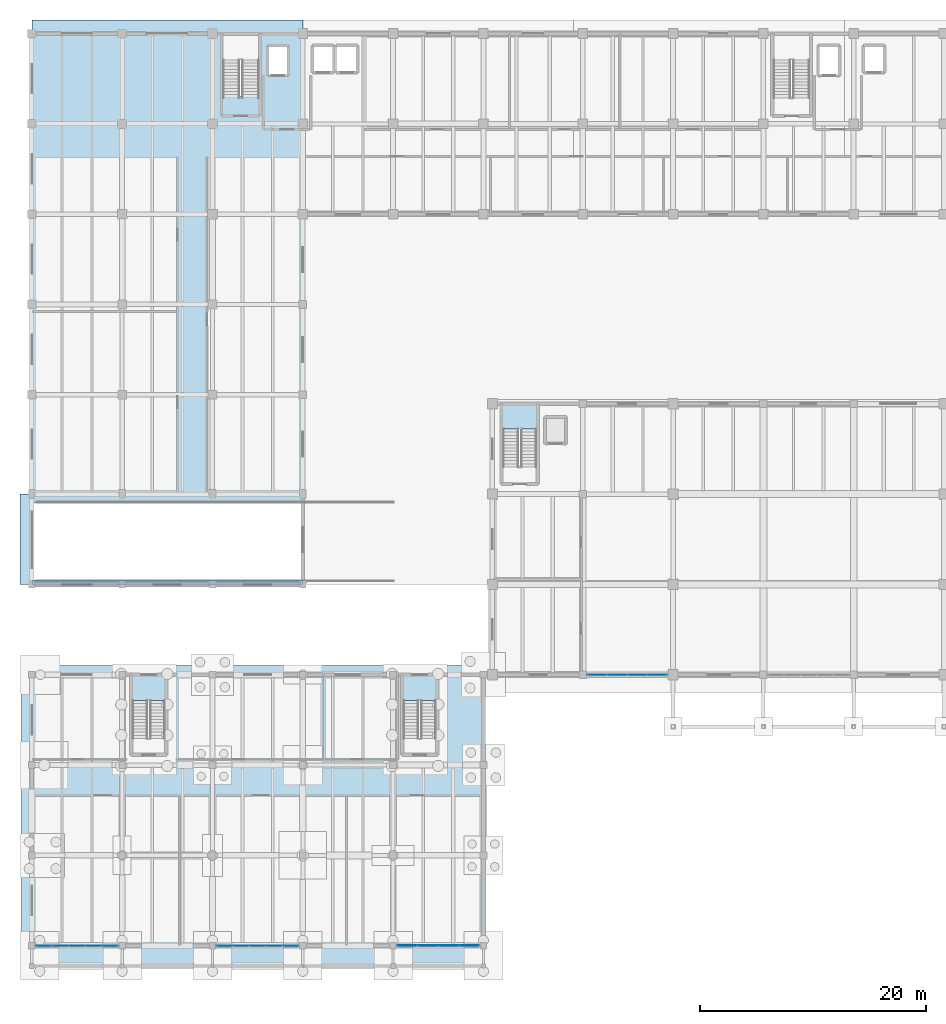
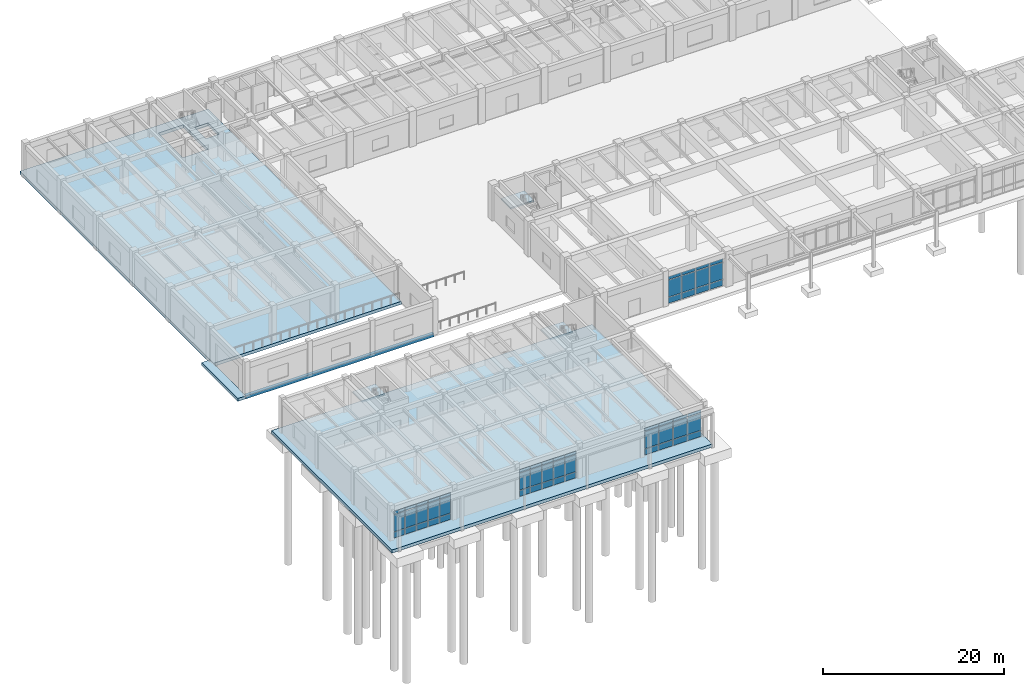
# One storey, part 27 of 64: 54 plates, 7 slabs, 7 elements without a shape of their own.
"""IFC4 building model written with IfcOpenShell, lengths in metres."""

import ifcopenshell
import ifcopenshell.guid

model = None  # the IFC model being written
_history = None  # IfcOwnerHistory: only IFC2X3 demands one
_inside = {}  # id of a spatial element -> (the spatial element, [elements in it])
_under = {}  # id of a project, library or spatial element -> (it, [spatial elements below it])
_declared = {}  # id of a project -> (the project, [libraries it declares])
_typed = {}  # id of a type object -> (the type object, [elements of that type])
_made_of = {}  # id of a material, layer set ... -> (it, [elements and type objects made of it])


def new_model(schema):
    """Start an empty IFC model of exactly this schema.

    Asked for "IFC4X3", IfcOpenShell would pick the latest addendum, in which some entities
    have other attributes; the version numbers below select the first issue.
    IFC2X3 requires an IfcOwnerHistory on every rooted entity: one is made here for all.
    """
    global model, _history
    if schema == "IFC4X3":
        model = ifcopenshell.file(schema_version=(4, 3, 0, 0))
    else:
        model = ifcopenshell.file(schema=schema)
    _inside.clear()
    _under.clear()
    _declared.clear()
    _typed.clear()
    _made_of.clear()
    _history = None
    if model.schema == "IFC2X3":
        org = make("IfcOrganization", Name="unknown")
        user = make(
            "IfcPersonAndOrganization",
            ThePerson=make("IfcPerson", FamilyName="unknown"),
            TheOrganization=org,
        )
        app = make(
            "IfcApplication",
            ApplicationDeveloper=org,
            Version="unknown",
            ApplicationFullName="unknown",
            ApplicationIdentifier="unknown",
        )
        _history = make(
            "IfcOwnerHistory",
            OwningUser=user,
            OwningApplication=app,
            ChangeAction="ADDED",
            CreationDate=0,
        )
    return model


def make(cls, **values):
    """One entity of the class cls with the attributes given. An attribute that is None is left unset."""
    return model.create_entity(
        cls, **{name: value for name, value in values.items() if value is not None}
    )


def rooted(cls, **values):
    """An entity with a GlobalId (a new one), such as an element, a storey or a relation."""
    return make(cls, GlobalId=ifcopenshell.guid.new(), OwnerHistory=_history, **values)


def si_unit(unit_type, name, prefix=None):
    """IfcSIUnit, for example si_unit("LENGTHUNIT", "METRE", prefix="MILLI")."""
    return make("IfcSIUnit", UnitType=unit_type, Prefix=prefix, Name=name)


def assignment(units):
    """IfcUnitAssignment: the units of a project."""
    return None if units is None else make("IfcUnitAssignment", Units=units)


def point(xyz):
    """IfcCartesianPoint."""
    return None if xyz is None else make("IfcCartesianPoint", Coordinates=xyz)


def direction(xyz):
    """IfcDirection."""
    return None if xyz is None else make("IfcDirection", DirectionRatios=xyz)


def frame(location, z_axis=None, x_axis=None):
    """IfcAxis2Placement3D, a coordinate frame: its origin and axes. An axis left out is left unset."""
    return make(
        "IfcAxis2Placement3D",
        Location=point(location),
        Axis=direction(z_axis),
        RefDirection=direction(x_axis),
    )


def frame_2d(location, x_axis=None):
    """IfcAxis2Placement2D, a coordinate frame in the plane: its origin and x axis."""
    return make(
        "IfcAxis2Placement2D", Location=point(location), RefDirection=direction(x_axis)
    )


def origin():
    """The frame at (0, 0, 0) with its axes left unset."""
    return frame((0.0, 0.0, 0.0))


def origin_2d():
    """The frame at (0, 0) in the plane with its x axis left unset."""
    return frame_2d((0.0, 0.0))


def place(relative_to, where):
    """IfcLocalPlacement: puts the frame where relative to a parent placement (None: the world)."""
    return make(
        "IfcLocalPlacement", PlacementRelTo=relative_to, RelativePlacement=where
    )


def context(
    kind, dimensions, precision=None, world=None, true_north=None, identifier=None
):
    """IfcGeometricRepresentationContext, for example the 3D "Model" context."""
    return make(
        "IfcGeometricRepresentationContext",
        ContextIdentifier=identifier,
        ContextType=kind,
        CoordinateSpaceDimension=dimensions,
        Precision=precision,
        WorldCoordinateSystem=world,
        TrueNorth=true_north,
    )


def subcontext(parent, identifier, kind, view, scale=None):
    """IfcGeometricRepresentationSubContext, for example "Body" below "Model"."""
    return make(
        "IfcGeometricRepresentationSubContext",
        ContextIdentifier=identifier,
        ContextType=kind,
        ParentContext=parent,
        TargetScale=scale,
        TargetView=view,
    )


def project(units=None, contexts=None):
    """IfcProject with its units and contexts."""
    return rooted(
        "IfcProject",
        Name="project",
        RepresentationContexts=contexts,
        UnitsInContext=assignment(units),
    )


def spatial(cls, under=None, at=None, **own):
    """A site, building, storey or space (cls), placed at a placement, below another one or the project."""
    s = rooted(cls, ObjectPlacement=at, **own)
    if under is not None:
        _under.setdefault(under.id(), (under, []))[1].append(s)
    return s


def polyline(points):
    """IfcPolyline through the points."""
    return make("IfcPolyline", Points=[point(p) for p in points])


def profile(cls, at=None, kind="AREA", **sizes):
    """A parametric profile (cls). Its sizes go by their IFC names, for example OverallWidth=200.0."""
    return make(cls, ProfileType=kind, Position=at, **sizes)


def rectangle(**sizes):
    """IfcRectangleProfileDef."""
    return profile("IfcRectangleProfileDef", **sizes)


def outline(outer, holes=None, kind="AREA"):
    """IfcArbitraryClosedProfileDef: a profile drawn as a closed curve; with holes, ...WithVoids."""
    if holes is None:
        return make("IfcArbitraryClosedProfileDef", ProfileType=kind, OuterCurve=outer)
    return make(
        "IfcArbitraryProfileDefWithVoids",
        ProfileType=kind,
        OuterCurve=outer,
        InnerCurves=holes,
    )


def extrude(swept, where, along, depth):
    """IfcExtrudedAreaSolid: the profile swept, set in the frame where, extruded along a direction by depth."""
    return make(
        "IfcExtrudedAreaSolid",
        SweptArea=swept,
        Position=where,
        ExtrudedDirection=direction(along),
        Depth=depth,
    )


def shape(context_of_items, identifier, shape_type, items):
    """IfcShapeRepresentation: the items that make up one representation, for example the "Body"."""
    return make(
        "IfcShapeRepresentation",
        ContextOfItems=context_of_items,
        RepresentationIdentifier=identifier,
        RepresentationType=shape_type,
        Items=items,
    )


def material(Name=None, Category=None):
    """IfcMaterial."""
    return make("IfcMaterial", Name=Name, Category=Category)


def layer(
    of_material, thickness, ventilated=None, Name=None, Category=None, Priority=None
):
    """IfcMaterialLayer: one layer of a wall or slab, of a material (None: an air gap)."""
    return make(
        "IfcMaterialLayer",
        Material=of_material,
        LayerThickness=thickness,
        IsVentilated=ventilated,
        Name=Name,
        Category=Category,
        Priority=Priority,
    )


def layer_set(layers, Name=None):
    """IfcMaterialLayerSet."""
    return make("IfcMaterialLayerSet", MaterialLayers=layers, LayerSetName=Name)


def made_of(thing, what):
    """Note that an element or type object is made of a material, layer set ...; save() writes the relation."""
    if what is not None:
        _made_of.setdefault(what.id(), (what, []))[1].append(thing)
    return thing


def type_object(cls, material=None, **own):
    """A type object (cls), such as IfcWallType, which elements share."""
    return made_of(rooted(cls, **own), material)


def element(
    cls,
    number,
    at=None,
    inside=None,
    cuts=None,
    type_object=None,
    material=None,
    context=None,
    identifier="Body",
    shape_type=None,
    held_by="IfcProductDefinitionShape",
    body=None,
    shapes=None,
    **own,
):
    """One element of the class cls, such as IfcWall. Its Tag is "e" and its number.

    at: its placement. inside: the storey or other place that contains it. cuts: it is an
    opening in that element (IfcRelVoidsElement). A single representation is given by context,
    identifier, shape_type and body (its items); several are given by shapes. held_by: the class
    of the entity that holds the representations. save() writes the other relations.
    """
    e = rooted(cls, Tag="e%d" % number, ObjectPlacement=at, **own)
    if body is not None:
        shapes = [shape(context, identifier, shape_type, body)]
    if shapes is not None:
        e.Representation = make(held_by, Representations=shapes)
    if inside is not None:
        _inside.setdefault(inside.id(), (inside, []))[1].append(e)
    if cuts is not None:
        rooted(
            "IfcRelVoidsElement", RelatingBuildingElement=cuts, RelatedOpeningElement=e
        )
    if type_object is not None:
        _typed.setdefault(type_object.id(), (type_object, []))[1].append(e)
    return made_of(e, material)


def aggregate(whole, parts):
    """IfcRelAggregates: a whole, such as a stair, and the parts it consists of."""
    return rooted("IfcRelAggregates", RelatingObject=whole, RelatedObjects=parts)


def save(model, path):
    """Write the relations noted so far, then the file.

    IfcRelAggregates (storeys below a building ...), IfcRelContainedInSpatialStructure (elements
    in a storey), IfcRelDefinesByType, IfcRelAssociatesMaterial and IfcRelDeclares: one each for
    every whole, place, type object, material and project.
    """
    for whole, parts in _under.values():
        aggregate(whole, parts)
    for where, things in _inside.values():
        rooted(
            "IfcRelContainedInSpatialStructure",
            RelatedElements=things,
            RelatingStructure=where,
        )
    for kind, things in _typed.values():
        rooted("IfcRelDefinesByType", RelatedObjects=things, RelatingType=kind)
    for what, things in _made_of.values():
        rooted("IfcRelAssociatesMaterial", RelatedObjects=things, RelatingMaterial=what)
    for by, libraries in _declared.values():
        rooted("IfcRelDeclares", RelatingContext=by, RelatedDefinitions=libraries)
    model.write(path)


model = new_model("IFC4")

# Units and contexts
model_context = context("Model", 3, precision=1e-05, world=origin(), true_north=direction((0.0, 1.0)))
body_context = subcontext(model_context, "Body", "Model", "MODEL_VIEW")
ifc_project = project(units=[si_unit("LENGTHUNIT", "METRE"), si_unit("AREAUNIT", "SQUARE_METRE"), si_unit("VOLUMEUNIT", "CUBIC_METRE"), si_unit("PLANEANGLEUNIT", "RADIAN"), si_unit("MASSUNIT", "GRAM", prefix="KILO")], contexts=[model_context])

# Site, building, storey
site_placement = place(None, origin())
site = spatial("IfcSite", under=ifc_project, at=site_placement, CompositionType="ELEMENT")
building_placement = place(site_placement, origin())
building = spatial("IfcBuilding", under=site, at=building_placement, Name="Tlaxcora Railside Police Headquarters", CompositionType="ELEMENT")
storey_placement = place(building_placement, origin())
storey = spatial("IfcBuildingStorey", under=building, at=storey_placement, Name="L00", CompositionType="ELEMENT", Elevation=0.0)

# Slabs
ifc_material_1 = material(Name="Concrete C35/45", Category="concrete")
ifc_layer_1 = layer(ifc_material_1, 0.429931640625, Name="Concrete C35/45")
ifc_layer_set_1 = layer_set([ifc_layer_1], Name="Concrete C35/45")
slab_type_1 = type_object("IfcSlabType", Name="Basement Base Slab SL-20", PredefinedType="BASESLAB", material=ifc_layer_set_1)
slab_1_placement = place(storey_placement, frame((0.0, 0.0, -0.429931640625)))
element("IfcSlab", 1, at=slab_1_placement, inside=storey, type_object=slab_type_1, Name="L00 Community Wing structural mat", PredefinedType="BASESLAB", context=body_context, shape_type="SweptSolid", body=[
    extrude(outline(polyline([(45.199951171875, 10.199951171875), (45.199951171875, 36.800048828125), (4.300048828125, 36.800048828125), (4.300048828125, 10.199951171875), (45.199951171875, 10.199951171875)]), holes=[polyline([(10.699951171875, 15.39990234375), (9.5, 15.39990234375), (9.5, 16.60009765625), (10.699951171875, 16.60009765625), (10.699951171875, 15.39990234375)])]), origin(), (0.0, 0.0, 1.0), 0.429931640625),
])
ifc_layer_2 = layer(ifc_material_1, 0.39990234375, Name="Concrete C35/45")
ifc_layer_set_2 = layer_set([ifc_layer_2], Name="Concrete C35/45")
slab_type_2 = type_object("IfcSlabType", Name="Basement Base Slab SL-96", PredefinedType="BASESLAB", material=ifc_layer_set_2)
slab_2_placement = place(storey_placement, frame((0.0, 0.0, -0.39990234375)))
element("IfcSlab", 2, at=slab_2_placement, inside=storey, type_object=slab_type_2, Name="Car park ramp exterior apron", PredefinedType="BASESLAB", context=body_context, shape_type="SweptSolid", body=[
    extrude(outline(polyline([(5.199951171875, 44.0), (5.199951171875, 52.0), (4.14990234375, 52.0), (4.14990234375, 44.0), (5.199951171875, 44.0)])), origin(), (0.0, 0.0, 1.0), 0.39990234375),
])

# Curtain wall, plates
ifc_material_2 = material(Name="Thermally broken low-E insulated glazing", Category="glass")
curtain_wall_type_1 = type_object("IfcCurtainWallType", Name="Unitised Curtain Wall Assembly CW-15", PredefinedType="NOTDEFINED", material=ifc_material_2)
curtain_wall_1_placement = place(storey_placement, origin())
curtain_wall_1 = element("IfcCurtainWall", 3, at=curtain_wall_1_placement, inside=storey, type_object=curtain_wall_type_1, Name="V4 L00 curtain wall 22", PredefinedType="NOTDEFINED")
ifc_layer_3 = layer(ifc_material_2, 0.031982421875, Name="Thermally broken low-E insulated glazing")
ifc_layer_set_3 = layer_set([ifc_layer_3], Name="Thermally broken low-E insulated glazing")
plate_type_1 = type_object("IfcPlateType", Name="Curtain Wall Infill Panel CW-41", PredefinedType="CURTAIN_PANEL", material=ifc_layer_set_3)
plate_1_placement = place(storey_placement, frame((22.27880859375, 12.0, 0.074951171875), z_axis=(0.0, 0.0, 1.0), x_axis=(1.0, 0.0, 0.0)))
plate_1 = element("IfcPlate", 4, at=plate_1_placement, type_object=plate_type_1, Name="CW panel 1.1", PredefinedType="CURTAIN_PANEL", context=body_context, shape_type="SweptSolid", body=[
    extrude(rectangle(XDim=1.357421875, YDim=0.031982421875, at=origin_2d()), origin(), (0.0, 0.0, 1.0), 0.78759765625),
])
plate_2_placement = place(storey_placement, frame((22.27880859375, 12.0, 0.9375), z_axis=(0.0, 0.0, 1.0), x_axis=(1.0, 0.0, 0.0)))
plate_2 = element("IfcPlate", 5, at=plate_2_placement, type_object=plate_type_1, Name="CW panel 1.2", PredefinedType="CURTAIN_PANEL", context=body_context, shape_type="SweptSolid", body=[
    extrude(rectangle(XDim=1.357421875, YDim=0.031982421875, at=origin_2d()), origin(), (0.0, 0.0, 1.0), 2.2548828125),
])
plate_3_placement = place(storey_placement, frame((22.27880859375, 12.0, 3.267578125), z_axis=(0.0, 0.0, 1.0), x_axis=(1.0, 0.0, 0.0)))
plate_3 = element("IfcPlate", 6, at=plate_3_placement, type_object=plate_type_1, Name="CW panel 1.3", PredefinedType="CURTAIN_PANEL", context=body_context, shape_type="SweptSolid", body=[
    extrude(rectangle(XDim=1.357421875, YDim=0.031982421875, at=origin_2d()), origin(), (0.0, 0.0, 1.0), 0.41748046875),
])
plate_4_placement = place(storey_placement, frame((23.72998046875, 12.0, 0.074951171875), z_axis=(0.0, 0.0, 1.0), x_axis=(1.0, 0.0, 0.0)))
plate_4 = element("IfcPlate", 7, at=plate_4_placement, type_object=plate_type_1, Name="CW panel 2.1", PredefinedType="CURTAIN_PANEL", context=body_context, shape_type="SweptSolid", body=[
    extrude(rectangle(XDim=1.39501953125, YDim=0.031982421875, at=origin_2d()), origin(), (0.0, 0.0, 1.0), 0.78759765625),
])
plate_5_placement = place(storey_placement, frame((23.72998046875, 12.0, 0.9375), z_axis=(0.0, 0.0, 1.0), x_axis=(1.0, 0.0, 0.0)))
plate_5 = element("IfcPlate", 8, at=plate_5_placement, type_object=plate_type_1, Name="CW panel 2.2", PredefinedType="CURTAIN_PANEL", context=body_context, shape_type="SweptSolid", body=[
    extrude(rectangle(XDim=1.39501953125, YDim=0.031982421875, at=origin_2d()), origin(), (0.0, 0.0, 1.0), 2.2548828125),
])
plate_6_placement = place(storey_placement, frame((23.72998046875, 12.0, 3.267578125), z_axis=(0.0, 0.0, 1.0), x_axis=(1.0, 0.0, 0.0)))
plate_6 = element("IfcPlate", 9, at=plate_6_placement, type_object=plate_type_1, Name="CW panel 2.3", PredefinedType="CURTAIN_PANEL", context=body_context, shape_type="SweptSolid", body=[
    extrude(rectangle(XDim=1.39501953125, YDim=0.031982421875, at=origin_2d()), origin(), (0.0, 0.0, 1.0), 0.41748046875),
])
plate_7_placement = place(storey_placement, frame((25.199951171875, 12.0, 0.074951171875), z_axis=(0.0, 0.0, 1.0), x_axis=(1.0, 0.0, 0.0)))
plate_7 = element("IfcPlate", 10, at=plate_7_placement, type_object=plate_type_1, Name="CW panel 3.1", PredefinedType="CURTAIN_PANEL", context=body_context, shape_type="SweptSolid", body=[
    extrude(rectangle(XDim=1.39501953125, YDim=0.031982421875, at=origin_2d()), origin(), (0.0, 0.0, 1.0), 0.78759765625),
])
plate_8_placement = place(storey_placement, frame((25.199951171875, 12.0, 0.9375), z_axis=(0.0, 0.0, 1.0), x_axis=(1.0, 0.0, 0.0)))
plate_8 = element("IfcPlate", 11, at=plate_8_placement, type_object=plate_type_1, Name="CW panel 3.2", PredefinedType="CURTAIN_PANEL", context=body_context, shape_type="SweptSolid", body=[
    extrude(rectangle(XDim=1.39501953125, YDim=0.031982421875, at=origin_2d()), origin(), (0.0, 0.0, 1.0), 2.2548828125),
])
plate_9_placement = place(storey_placement, frame((25.199951171875, 12.0, 3.267578125), z_axis=(0.0, 0.0, 1.0), x_axis=(1.0, 0.0, 0.0)))
plate_9 = element("IfcPlate", 12, at=plate_9_placement, type_object=plate_type_1, Name="CW panel 3.3", PredefinedType="CURTAIN_PANEL", context=body_context, shape_type="SweptSolid", body=[
    extrude(rectangle(XDim=1.39501953125, YDim=0.031982421875, at=origin_2d()), origin(), (0.0, 0.0, 1.0), 0.41748046875),
])
plate_10_placement = place(storey_placement, frame((26.669921875, 12.0, 0.074951171875), z_axis=(0.0, 0.0, 1.0), x_axis=(1.0, 0.0, 0.0)))
plate_10 = element("IfcPlate", 13, at=plate_10_placement, type_object=plate_type_1, Name="CW panel 4.1", PredefinedType="CURTAIN_PANEL", context=body_context, shape_type="SweptSolid", body=[
    extrude(rectangle(XDim=1.39501953125, YDim=0.031982421875, at=origin_2d()), origin(), (0.0, 0.0, 1.0), 0.78759765625),
])
plate_11_placement = place(storey_placement, frame((26.669921875, 12.0, 0.9375), z_axis=(0.0, 0.0, 1.0), x_axis=(1.0, 0.0, 0.0)))
plate_11 = element("IfcPlate", 14, at=plate_11_placement, type_object=plate_type_1, Name="CW panel 4.2", PredefinedType="CURTAIN_PANEL", context=body_context, shape_type="SweptSolid", body=[
    extrude(rectangle(XDim=1.39501953125, YDim=0.031982421875, at=origin_2d()), origin(), (0.0, 0.0, 1.0), 2.2548828125),
])
plate_12_placement = place(storey_placement, frame((26.669921875, 12.0, 3.267578125), z_axis=(0.0, 0.0, 1.0), x_axis=(1.0, 0.0, 0.0)))
plate_12 = element("IfcPlate", 15, at=plate_12_placement, type_object=plate_type_1, Name="CW panel 4.3", PredefinedType="CURTAIN_PANEL", context=body_context, shape_type="SweptSolid", body=[
    extrude(rectangle(XDim=1.39501953125, YDim=0.031982421875, at=origin_2d()), origin(), (0.0, 0.0, 1.0), 0.41748046875),
])
plate_13_placement = place(storey_placement, frame((28.121337890625, 12.0, 0.074951171875), z_axis=(0.0, 0.0, 1.0), x_axis=(1.0, 0.0, 0.0)))
plate_13 = element("IfcPlate", 16, at=plate_13_placement, type_object=plate_type_1, Name="CW panel 5.1", PredefinedType="CURTAIN_PANEL", context=body_context, shape_type="SweptSolid", body=[
    extrude(rectangle(XDim=1.357421875, YDim=0.031982421875, at=origin_2d()), origin(), (0.0, 0.0, 1.0), 0.78759765625),
])
plate_14_placement = place(storey_placement, frame((28.121337890625, 12.0, 0.9375), z_axis=(0.0, 0.0, 1.0), x_axis=(1.0, 0.0, 0.0)))
plate_14 = element("IfcPlate", 17, at=plate_14_placement, type_object=plate_type_1, Name="CW panel 5.2", PredefinedType="CURTAIN_PANEL", context=body_context, shape_type="SweptSolid", body=[
    extrude(rectangle(XDim=1.357421875, YDim=0.031982421875, at=origin_2d()), origin(), (0.0, 0.0, 1.0), 2.2548828125),
])
plate_15_placement = place(storey_placement, frame((28.121337890625, 12.0, 3.267578125), z_axis=(0.0, 0.0, 1.0), x_axis=(1.0, 0.0, 0.0)))
plate_15 = element("IfcPlate", 18, at=plate_15_placement, type_object=plate_type_1, Name="CW panel 5.3", PredefinedType="CURTAIN_PANEL", context=body_context, shape_type="SweptSolid", body=[
    extrude(rectangle(XDim=1.357421875, YDim=0.031982421875, at=origin_2d()), origin(), (0.0, 0.0, 1.0), 0.41748046875),
])
aggregate(curtain_wall_1, [plate_1, plate_2, plate_3, plate_4, plate_5, plate_6, plate_7, plate_8, plate_9, plate_10, plate_11, plate_12, plate_13, plate_14, plate_15])

curtain_wall_type_2 = type_object("IfcCurtainWallType", Name="Unitised Curtain Wall Assembly CW-83", PredefinedType="NOTDEFINED", material=ifc_material_2)
curtain_wall_2_placement = place(storey_placement, origin())
curtain_wall_2 = element("IfcCurtainWall", 19, at=curtain_wall_2_placement, inside=storey, type_object=curtain_wall_type_2, Name="V4 L00 curtain wall 23", PredefinedType="NOTDEFINED")
ifc_layer_4 = layer(ifc_material_2, 0.035888671875, Name="Thermally broken low-E insulated glazing")
ifc_layer_set_4 = layer_set([ifc_layer_4], Name="Thermally broken low-E insulated glazing")
plate_type_2 = type_object("IfcPlateType", Name="Curtain Wall Infill Panel CW-72", PredefinedType="CURTAIN_PANEL", material=ifc_layer_set_4)
plate_16_placement = place(storey_placement, frame((38.4638671875, 12.0, 0.080078125), z_axis=(0.0, 0.0, 1.0), x_axis=(1.0, 0.0, 0.0)))
plate_16 = element("IfcPlate", 20, at=plate_16_placement, type_object=plate_type_2, Name="CW panel 1.1", PredefinedType="CURTAIN_PANEL", context=body_context, shape_type="SweptSolid", body=[
    extrude(rectangle(XDim=1.717529296875, YDim=0.035888671875, at=origin_2d()), origin(), (0.0, 0.0, 1.0), 0.780029296875),
])
plate_17_placement = place(storey_placement, frame((38.4638671875, 12.0, 0.93994140625), z_axis=(0.0, 0.0, 1.0), x_axis=(1.0, 0.0, 0.0)))
plate_17 = element("IfcPlate", 21, at=plate_17_placement, type_object=plate_type_2, Name="CW panel 1.2", PredefinedType="CURTAIN_PANEL", context=body_context, shape_type="SweptSolid", body=[
    extrude(rectangle(XDim=1.717529296875, YDim=0.035888671875, at=origin_2d()), origin(), (0.0, 0.0, 1.0), 2.25),
])
plate_18_placement = place(storey_placement, frame((38.4638671875, 12.0, 3.27001953125), z_axis=(0.0, 0.0, 1.0), x_axis=(1.0, 0.0, 0.0)))
plate_18 = element("IfcPlate", 22, at=plate_18_placement, type_object=plate_type_2, Name="CW panel 1.3", PredefinedType="CURTAIN_PANEL", context=body_context, shape_type="SweptSolid", body=[
    extrude(rectangle(XDim=1.717529296875, YDim=0.035888671875, at=origin_2d()), origin(), (0.0, 0.0, 1.0), 0.409912109375),
])
plate_19_placement = place(storey_placement, frame((40.28125, 12.0, 0.080078125), z_axis=(0.0, 0.0, 1.0), x_axis=(1.0, 0.0, 0.0)))
plate_19 = element("IfcPlate", 23, at=plate_19_placement, type_object=plate_type_2, Name="CW panel 2.1", PredefinedType="CURTAIN_PANEL", context=body_context, shape_type="SweptSolid", body=[
    extrude(rectangle(XDim=1.757568359375, YDim=0.035888671875, at=origin_2d()), origin(), (0.0, 0.0, 1.0), 0.780029296875),
])
plate_20_placement = place(storey_placement, frame((40.28125, 12.0, 0.93994140625), z_axis=(0.0, 0.0, 1.0), x_axis=(1.0, 0.0, 0.0)))
plate_20 = element("IfcPlate", 24, at=plate_20_placement, type_object=plate_type_2, Name="CW panel 2.2", PredefinedType="CURTAIN_PANEL", context=body_context, shape_type="SweptSolid", body=[
    extrude(rectangle(XDim=1.757568359375, YDim=0.035888671875, at=origin_2d()), origin(), (0.0, 0.0, 1.0), 2.25),
])
plate_21_placement = place(storey_placement, frame((40.28125, 12.0, 3.27001953125), z_axis=(0.0, 0.0, 1.0), x_axis=(1.0, 0.0, 0.0)))
plate_21 = element("IfcPlate", 25, at=plate_21_placement, type_object=plate_type_2, Name="CW panel 2.3", PredefinedType="CURTAIN_PANEL", context=body_context, shape_type="SweptSolid", body=[
    extrude(rectangle(XDim=1.757568359375, YDim=0.035888671875, at=origin_2d()), origin(), (0.0, 0.0, 1.0), 0.409912109375),
])
plate_22_placement = place(storey_placement, frame((42.11865234375, 12.0, 0.080078125), z_axis=(0.0, 0.0, 1.0), x_axis=(1.0, 0.0, 0.0)))
plate_22 = element("IfcPlate", 26, at=plate_22_placement, type_object=plate_type_2, Name="CW panel 3.1", PredefinedType="CURTAIN_PANEL", context=body_context, shape_type="SweptSolid", body=[
    extrude(rectangle(XDim=1.757568359375, YDim=0.035888671875, at=origin_2d()), origin(), (0.0, 0.0, 1.0), 0.780029296875),
])
plate_23_placement = place(storey_placement, frame((42.11865234375, 12.0, 0.93994140625), z_axis=(0.0, 0.0, 1.0), x_axis=(1.0, 0.0, 0.0)))
plate_23 = element("IfcPlate", 27, at=plate_23_placement, type_object=plate_type_2, Name="CW panel 3.2", PredefinedType="CURTAIN_PANEL", context=body_context, shape_type="SweptSolid", body=[
    extrude(rectangle(XDim=1.757568359375, YDim=0.035888671875, at=origin_2d()), origin(), (0.0, 0.0, 1.0), 2.25),
])
plate_24_placement = place(storey_placement, frame((42.11865234375, 12.0, 3.27001953125), z_axis=(0.0, 0.0, 1.0), x_axis=(1.0, 0.0, 0.0)))
plate_24 = element("IfcPlate", 28, at=plate_24_placement, type_object=plate_type_2, Name="CW panel 3.3", PredefinedType="CURTAIN_PANEL", context=body_context, shape_type="SweptSolid", body=[
    extrude(rectangle(XDim=1.757568359375, YDim=0.035888671875, at=origin_2d()), origin(), (0.0, 0.0, 1.0), 0.409912109375),
])
plate_25_placement = place(storey_placement, frame((43.936279296875, 12.0, 0.080078125), z_axis=(0.0, 0.0, 1.0), x_axis=(1.0, 0.0, 0.0)))
plate_25 = element("IfcPlate", 29, at=plate_25_placement, type_object=plate_type_2, Name="CW panel 4.1", PredefinedType="CURTAIN_PANEL", context=body_context, shape_type="SweptSolid", body=[
    extrude(rectangle(XDim=1.717529296875, YDim=0.035888671875, at=origin_2d()), origin(), (0.0, 0.0, 1.0), 0.780029296875),
])
plate_26_placement = place(storey_placement, frame((43.936279296875, 12.0, 0.93994140625), z_axis=(0.0, 0.0, 1.0), x_axis=(1.0, 0.0, 0.0)))
plate_26 = element("IfcPlate", 30, at=plate_26_placement, type_object=plate_type_2, Name="CW panel 4.2", PredefinedType="CURTAIN_PANEL", context=body_context, shape_type="SweptSolid", body=[
    extrude(rectangle(XDim=1.717529296875, YDim=0.035888671875, at=origin_2d()), origin(), (0.0, 0.0, 1.0), 2.25),
])
plate_27_placement = place(storey_placement, frame((43.936279296875, 12.0, 3.27001953125), z_axis=(0.0, 0.0, 1.0), x_axis=(1.0, 0.0, 0.0)))
plate_27 = element("IfcPlate", 31, at=plate_27_placement, type_object=plate_type_2, Name="CW panel 4.3", PredefinedType="CURTAIN_PANEL", context=body_context, shape_type="SweptSolid", body=[
    extrude(rectangle(XDim=1.717529296875, YDim=0.035888671875, at=origin_2d()), origin(), (0.0, 0.0, 1.0), 0.409912109375),
])
aggregate(curtain_wall_2, [plate_16, plate_17, plate_18, plate_19, plate_20, plate_21, plate_22, plate_23, plate_24, plate_25, plate_26, plate_27])

curtain_wall_type_3 = type_object("IfcCurtainWallType", Name="Unitised Curtain Wall Assembly CW-38", PredefinedType="NOTDEFINED", material=ifc_material_2)
curtain_wall_3_placement = place(storey_placement, origin())
curtain_wall_3 = element("IfcCurtainWall", 32, at=curtain_wall_3_placement, inside=storey, type_object=curtain_wall_type_3, Name="V1 L00 curtain wall 1", PredefinedType="NOTDEFINED")
ifc_layer_5 = layer(ifc_material_2, 0.028076171875, Name="Thermally broken low-E insulated glazing")
ifc_layer_set_5 = layer_set([ifc_layer_5], Name="Thermally broken low-E insulated glazing")
plate_type_3 = type_object("IfcPlateType", Name="Curtain Wall Infill Panel CW-92", PredefinedType="CURTAIN_PANEL", material=ifc_layer_set_5)
plate_28_placement = place(storey_placement, frame((55.284423828125, 36.0, 0.074951171875), z_axis=(0.0, 0.0, 1.0), x_axis=(1.0, 0.0, 0.0)))
plate_28 = element("IfcPlate", 33, at=plate_28_placement, type_object=plate_type_3, Name="CW panel 1.1", PredefinedType="CURTAIN_PANEL", context=body_context, shape_type="SweptSolid", body=[
    extrude(rectangle(XDim=1.668701171875, YDim=0.028076171875, at=origin_2d()), origin(), (0.0, 0.0, 1.0), 0.78759765625),
])
plate_29_placement = place(storey_placement, frame((55.284423828125, 36.0, 0.9375), z_axis=(0.0, 0.0, 1.0), x_axis=(1.0, 0.0, 0.0)))
plate_29 = element("IfcPlate", 34, at=plate_29_placement, type_object=plate_type_3, Name="CW panel 1.2", PredefinedType="CURTAIN_PANEL", context=body_context, shape_type="SweptSolid", body=[
    extrude(rectangle(XDim=1.668701171875, YDim=0.028076171875, at=origin_2d()), origin(), (0.0, 0.0, 1.0), 2.2548828125),
])
plate_30_placement = place(storey_placement, frame((55.284423828125, 36.0, 3.267578125), z_axis=(0.0, 0.0, 1.0), x_axis=(1.0, 0.0, 0.0)))
plate_30 = element("IfcPlate", 35, at=plate_30_placement, type_object=plate_type_3, Name="CW panel 1.3", PredefinedType="CURTAIN_PANEL", context=body_context, shape_type="SweptSolid", body=[
    extrude(rectangle(XDim=1.668701171875, YDim=0.028076171875, at=origin_2d()), origin(), (0.0, 0.0, 1.0), 0.41748046875),
])
plate_31_placement = place(storey_placement, frame((57.046875, 36.0, 0.074951171875), z_axis=(0.0, 0.0, 1.0), x_axis=(1.0, 0.0, 0.0)))
plate_31 = element("IfcPlate", 36, at=plate_31_placement, type_object=plate_type_3, Name="CW panel 2.1", PredefinedType="CURTAIN_PANEL", context=body_context, shape_type="SweptSolid", body=[
    extrude(rectangle(XDim=1.706298828125, YDim=0.028076171875, at=origin_2d()), origin(), (0.0, 0.0, 1.0), 0.78759765625),
])
plate_32_placement = place(storey_placement, frame((57.046875, 36.0, 0.9375), z_axis=(0.0, 0.0, 1.0), x_axis=(1.0, 0.0, 0.0)))
plate_32 = element("IfcPlate", 37, at=plate_32_placement, type_object=plate_type_3, Name="CW panel 2.2", PredefinedType="CURTAIN_PANEL", context=body_context, shape_type="SweptSolid", body=[
    extrude(rectangle(XDim=1.706298828125, YDim=0.028076171875, at=origin_2d()), origin(), (0.0, 0.0, 1.0), 2.2548828125),
])
plate_33_placement = place(storey_placement, frame((57.046875, 36.0, 3.267578125), z_axis=(0.0, 0.0, 1.0), x_axis=(1.0, 0.0, 0.0)))
plate_33 = element("IfcPlate", 38, at=plate_33_placement, type_object=plate_type_3, Name="CW panel 2.3", PredefinedType="CURTAIN_PANEL", context=body_context, shape_type="SweptSolid", body=[
    extrude(rectangle(XDim=1.706298828125, YDim=0.028076171875, at=origin_2d()), origin(), (0.0, 0.0, 1.0), 0.41748046875),
])
plate_34_placement = place(storey_placement, frame((58.828125, 36.0, 0.074951171875), z_axis=(0.0, 0.0, 1.0), x_axis=(1.0, 0.0, 0.0)))
plate_34 = element("IfcPlate", 39, at=plate_34_placement, type_object=plate_type_3, Name="CW panel 3.1", PredefinedType="CURTAIN_PANEL", context=body_context, shape_type="SweptSolid", body=[
    extrude(rectangle(XDim=1.706298828125, YDim=0.028076171875, at=origin_2d()), origin(), (0.0, 0.0, 1.0), 0.78759765625),
])
plate_35_placement = place(storey_placement, frame((58.828125, 36.0, 0.9375), z_axis=(0.0, 0.0, 1.0), x_axis=(1.0, 0.0, 0.0)))
plate_35 = element("IfcPlate", 40, at=plate_35_placement, type_object=plate_type_3, Name="CW panel 3.2", PredefinedType="CURTAIN_PANEL", context=body_context, shape_type="SweptSolid", body=[
    extrude(rectangle(XDim=1.706298828125, YDim=0.028076171875, at=origin_2d()), origin(), (0.0, 0.0, 1.0), 2.2548828125),
])
plate_36_placement = place(storey_placement, frame((58.828125, 36.0, 3.267578125), z_axis=(0.0, 0.0, 1.0), x_axis=(1.0, 0.0, 0.0)))
plate_36 = element("IfcPlate", 41, at=plate_36_placement, type_object=plate_type_3, Name="CW panel 3.3", PredefinedType="CURTAIN_PANEL", context=body_context, shape_type="SweptSolid", body=[
    extrude(rectangle(XDim=1.706298828125, YDim=0.028076171875, at=origin_2d()), origin(), (0.0, 0.0, 1.0), 0.41748046875),
])
plate_37_placement = place(storey_placement, frame((60.590576171875, 36.0, 0.074951171875), z_axis=(0.0, 0.0, 1.0), x_axis=(1.0, 0.0, 0.0)))
plate_37 = element("IfcPlate", 42, at=plate_37_placement, type_object=plate_type_3, Name="CW panel 4.1", PredefinedType="CURTAIN_PANEL", context=body_context, shape_type="SweptSolid", body=[
    extrude(rectangle(XDim=1.668701171875, YDim=0.028076171875, at=origin_2d()), origin(), (0.0, 0.0, 1.0), 0.78759765625),
])
plate_38_placement = place(storey_placement, frame((60.590576171875, 36.0, 0.9375), z_axis=(0.0, 0.0, 1.0), x_axis=(1.0, 0.0, 0.0)))
plate_38 = element("IfcPlate", 43, at=plate_38_placement, type_object=plate_type_3, Name="CW panel 4.2", PredefinedType="CURTAIN_PANEL", context=body_context, shape_type="SweptSolid", body=[
    extrude(rectangle(XDim=1.668701171875, YDim=0.028076171875, at=origin_2d()), origin(), (0.0, 0.0, 1.0), 2.2548828125),
])
plate_39_placement = place(storey_placement, frame((60.590576171875, 36.0, 3.267578125), z_axis=(0.0, 0.0, 1.0), x_axis=(1.0, 0.0, 0.0)))
plate_39 = element("IfcPlate", 44, at=plate_39_placement, type_object=plate_type_3, Name="CW panel 4.3", PredefinedType="CURTAIN_PANEL", context=body_context, shape_type="SweptSolid", body=[
    extrude(rectangle(XDim=1.668701171875, YDim=0.028076171875, at=origin_2d()), origin(), (0.0, 0.0, 1.0), 0.41748046875),
])
aggregate(curtain_wall_3, [plate_28, plate_29, plate_30, plate_31, plate_32, plate_33, plate_34, plate_35, plate_36, plate_37, plate_38, plate_39])

curtain_wall_4_placement = place(storey_placement, origin())
curtain_wall_4 = element("IfcCurtainWall", 45, at=curtain_wall_4_placement, inside=storey, type_object=curtain_wall_type_3, Name="V4 L00 curtain wall 21", PredefinedType="NOTDEFINED")
plate_40_placement = place(storey_placement, frame((6.27880859375, 12.0, 0.074951171875), z_axis=(0.0, 0.0, 1.0), x_axis=(1.0, 0.0, 0.0)))
plate_40 = element("IfcPlate", 46, at=plate_40_placement, type_object=plate_type_3, Name="CW panel 1.1", PredefinedType="CURTAIN_PANEL", context=body_context, shape_type="SweptSolid", body=[
    extrude(rectangle(XDim=1.357421875, YDim=0.028076171875, at=origin_2d()), origin(), (0.0, 0.0, 1.0), 0.78759765625),
])
plate_41_placement = place(storey_placement, frame((6.27880859375, 12.0, 0.9375), z_axis=(0.0, 0.0, 1.0), x_axis=(1.0, 0.0, 0.0)))
plate_41 = element("IfcPlate", 47, at=plate_41_placement, type_object=plate_type_3, Name="CW panel 1.2", PredefinedType="CURTAIN_PANEL", context=body_context, shape_type="SweptSolid", body=[
    extrude(rectangle(XDim=1.357421875, YDim=0.028076171875, at=origin_2d()), origin(), (0.0, 0.0, 1.0), 2.2548828125),
])
plate_42_placement = place(storey_placement, frame((6.27880859375, 12.0, 3.267578125), z_axis=(0.0, 0.0, 1.0), x_axis=(1.0, 0.0, 0.0)))
plate_42 = element("IfcPlate", 48, at=plate_42_placement, type_object=plate_type_3, Name="CW panel 1.3", PredefinedType="CURTAIN_PANEL", context=body_context, shape_type="SweptSolid", body=[
    extrude(rectangle(XDim=1.357421875, YDim=0.028076171875, at=origin_2d()), origin(), (0.0, 0.0, 1.0), 0.41748046875),
])
plate_43_placement = place(storey_placement, frame((7.72998046875, 12.0, 0.074951171875), z_axis=(0.0, 0.0, 1.0), x_axis=(1.0, 0.0, 0.0)))
plate_43 = element("IfcPlate", 49, at=plate_43_placement, type_object=plate_type_3, Name="CW panel 2.1", PredefinedType="CURTAIN_PANEL", context=body_context, shape_type="SweptSolid", body=[
    extrude(rectangle(XDim=1.39501953125, YDim=0.028076171875, at=origin_2d()), origin(), (0.0, 0.0, 1.0), 0.78759765625),
])
plate_44_placement = place(storey_placement, frame((7.72998046875, 12.0, 0.9375), z_axis=(0.0, 0.0, 1.0), x_axis=(1.0, 0.0, 0.0)))
plate_44 = element("IfcPlate", 50, at=plate_44_placement, type_object=plate_type_3, Name="CW panel 2.2", PredefinedType="CURTAIN_PANEL", context=body_context, shape_type="SweptSolid", body=[
    extrude(rectangle(XDim=1.39501953125, YDim=0.028076171875, at=origin_2d()), origin(), (0.0, 0.0, 1.0), 2.2548828125),
])
plate_45_placement = place(storey_placement, frame((7.72998046875, 12.0, 3.267578125), z_axis=(0.0, 0.0, 1.0), x_axis=(1.0, 0.0, 0.0)))
plate_45 = element("IfcPlate", 51, at=plate_45_placement, type_object=plate_type_3, Name="CW panel 2.3", PredefinedType="CURTAIN_PANEL", context=body_context, shape_type="SweptSolid", body=[
    extrude(rectangle(XDim=1.39501953125, YDim=0.028076171875, at=origin_2d()), origin(), (0.0, 0.0, 1.0), 0.41748046875),
])
plate_46_placement = place(storey_placement, frame((9.199951171875, 12.0, 0.074951171875), z_axis=(0.0, 0.0, 1.0), x_axis=(1.0, 0.0, 0.0)))
plate_46 = element("IfcPlate", 52, at=plate_46_placement, type_object=plate_type_3, Name="CW panel 3.1", PredefinedType="CURTAIN_PANEL", context=body_context, shape_type="SweptSolid", body=[
    extrude(rectangle(XDim=1.39501953125, YDim=0.028076171875, at=origin_2d()), origin(), (0.0, 0.0, 1.0), 0.78759765625),
])
plate_47_placement = place(storey_placement, frame((9.199951171875, 12.0, 0.9375), z_axis=(0.0, 0.0, 1.0), x_axis=(1.0, 0.0, 0.0)))
plate_47 = element("IfcPlate", 53, at=plate_47_placement, type_object=plate_type_3, Name="CW panel 3.2", PredefinedType="CURTAIN_PANEL", context=body_context, shape_type="SweptSolid", body=[
    extrude(rectangle(XDim=1.39501953125, YDim=0.028076171875, at=origin_2d()), origin(), (0.0, 0.0, 1.0), 2.2548828125),
])
plate_48_placement = place(storey_placement, frame((9.199951171875, 12.0, 3.267578125), z_axis=(0.0, 0.0, 1.0), x_axis=(1.0, 0.0, 0.0)))
plate_48 = element("IfcPlate", 54, at=plate_48_placement, type_object=plate_type_3, Name="CW panel 3.3", PredefinedType="CURTAIN_PANEL", context=body_context, shape_type="SweptSolid", body=[
    extrude(rectangle(XDim=1.39501953125, YDim=0.028076171875, at=origin_2d()), origin(), (0.0, 0.0, 1.0), 0.41748046875),
])
plate_49_placement = place(storey_placement, frame((10.669921875, 12.0, 0.074951171875), z_axis=(0.0, 0.0, 1.0), x_axis=(1.0, 0.0, 0.0)))
plate_49 = element("IfcPlate", 55, at=plate_49_placement, type_object=plate_type_3, Name="CW panel 4.1", PredefinedType="CURTAIN_PANEL", context=body_context, shape_type="SweptSolid", body=[
    extrude(rectangle(XDim=1.39501953125, YDim=0.028076171875, at=origin_2d()), origin(), (0.0, 0.0, 1.0), 0.78759765625),
])
plate_50_placement = place(storey_placement, frame((10.669921875, 12.0, 0.9375), z_axis=(0.0, 0.0, 1.0), x_axis=(1.0, 0.0, 0.0)))
plate_50 = element("IfcPlate", 56, at=plate_50_placement, type_object=plate_type_3, Name="CW panel 4.2", PredefinedType="CURTAIN_PANEL", context=body_context, shape_type="SweptSolid", body=[
    extrude(rectangle(XDim=1.39501953125, YDim=0.028076171875, at=origin_2d()), origin(), (0.0, 0.0, 1.0), 2.2548828125),
])
plate_51_placement = place(storey_placement, frame((10.669921875, 12.0, 3.267578125), z_axis=(0.0, 0.0, 1.0), x_axis=(1.0, 0.0, 0.0)))
plate_51 = element("IfcPlate", 57, at=plate_51_placement, type_object=plate_type_3, Name="CW panel 4.3", PredefinedType="CURTAIN_PANEL", context=body_context, shape_type="SweptSolid", body=[
    extrude(rectangle(XDim=1.39501953125, YDim=0.028076171875, at=origin_2d()), origin(), (0.0, 0.0, 1.0), 0.41748046875),
])
plate_52_placement = place(storey_placement, frame((12.121337890625, 12.0, 0.074951171875), z_axis=(0.0, 0.0, 1.0), x_axis=(1.0, 0.0, 0.0)))
plate_52 = element("IfcPlate", 58, at=plate_52_placement, type_object=plate_type_3, Name="CW panel 5.1", PredefinedType="CURTAIN_PANEL", context=body_context, shape_type="SweptSolid", body=[
    extrude(rectangle(XDim=1.357421875, YDim=0.028076171875, at=origin_2d()), origin(), (0.0, 0.0, 1.0), 0.78759765625),
])
plate_53_placement = place(storey_placement, frame((12.121337890625, 12.0, 0.9375), z_axis=(0.0, 0.0, 1.0), x_axis=(1.0, 0.0, 0.0)))
plate_53 = element("IfcPlate", 59, at=plate_53_placement, type_object=plate_type_3, Name="CW panel 5.2", PredefinedType="CURTAIN_PANEL", context=body_context, shape_type="SweptSolid", body=[
    extrude(rectangle(XDim=1.357421875, YDim=0.028076171875, at=origin_2d()), origin(), (0.0, 0.0, 1.0), 2.2548828125),
])
plate_54_placement = place(storey_placement, frame((12.121337890625, 12.0, 3.267578125), z_axis=(0.0, 0.0, 1.0), x_axis=(1.0, 0.0, 0.0)))
plate_54 = element("IfcPlate", 60, at=plate_54_placement, type_object=plate_type_3, Name="CW panel 5.3", PredefinedType="CURTAIN_PANEL", context=body_context, shape_type="SweptSolid", body=[
    extrude(rectangle(XDim=1.357421875, YDim=0.028076171875, at=origin_2d()), origin(), (0.0, 0.0, 1.0), 0.41748046875),
])
aggregate(curtain_wall_4, [plate_40, plate_41, plate_42, plate_43, plate_44, plate_45, plate_46, plate_47, plate_48, plate_49, plate_50, plate_51, plate_52, plate_53, plate_54])

# Stair, slab
ifc_material_3 = material(Name="Concrete C40/50", Category="concrete")
stair_type_1 = type_object("IfcStairType", Name="Half-Turn Dog-Leg Stair ST-67", PredefinedType="HALF_TURN_STAIR", material=ifc_material_3)
stair_1_placement = place(storey_placement, origin())
stair_1 = element("IfcStair", 61, at=stair_1_placement, inside=storey, type_object=stair_type_1, Name="L00 ST4", PredefinedType="HALF_TURN_STAIR")
ifc_layer_6 = layer(ifc_material_1, 0.199951171875, Name="Concrete C35/45")
ifc_layer_set_6 = layer_set([ifc_layer_6], Name="Concrete C35/45")
slab_type_3 = type_object("IfcSlabType", Name="Stair Landing Slab SL-23", PredefinedType="LANDING", material=ifc_layer_set_6)
slab_3_placement = place(storey_placement, frame((0.0, 0.0, 2.199951171875)))
slab_3 = element("IfcSlab", 62, at=slab_3_placement, type_object=slab_type_3, Name="ST4 landing 1", PredefinedType="LANDING", context=body_context, shape_type="SweptSolid", body=[
    extrude(outline(polyline([(49.909912109375, 57.77001953125), (49.909912109375, 59.889892578125), (46.909912109375, 59.889892578125), (46.909912109375, 57.77001953125), (49.909912109375, 57.77001953125)])), origin(), (0.0, 0.0, 1.0), 0.199951171875),
])
aggregate(stair_1, [slab_3])

stair_type_2 = type_object("IfcStairType", Name="Half-Turn Dog-Leg Stair ST-42", PredefinedType="HALF_TURN_STAIR", material=ifc_material_3)
stair_2_placement = place(storey_placement, origin())
stair_2 = element("IfcStair", 63, at=stair_2_placement, inside=storey, type_object=stair_type_2, Name="L00 ST6", PredefinedType="HALF_TURN_STAIR")
slab_4_placement = place(storey_placement, frame((0.0, 0.0, 2.199951171875)))
slab_4 = element("IfcSlab", 64, at=slab_4_placement, type_object=slab_type_3, Name="ST6 landing 1", PredefinedType="LANDING", context=body_context, shape_type="SweptSolid", body=[
    extrude(outline(polyline([(17.010009765625, 33.719970703125), (17.010009765625, 35.889892578125), (14.110107421875, 35.889892578125), (14.110107421875, 33.719970703125), (17.010009765625, 33.719970703125)])), origin(), (0.0, 0.0, 1.0), 0.199951171875),
])
aggregate(stair_2, [slab_4])

stair_3_placement = place(storey_placement, origin())
stair_3 = element("IfcStair", 65, at=stair_3_placement, inside=storey, type_object=stair_type_2, Name="L00 ST10", PredefinedType="HALF_TURN_STAIR")
slab_5_placement = place(storey_placement, frame((0.0, 0.0, 2.199951171875)))
slab_5 = element("IfcSlab", 66, at=slab_5_placement, type_object=slab_type_3, Name="ST10 landing 1", PredefinedType="LANDING", context=body_context, shape_type="SweptSolid", body=[
    extrude(outline(polyline([(41.010009765625, 33.719970703125), (41.010009765625, 35.889892578125), (38.110107421875, 35.889892578125), (38.110107421875, 33.719970703125), (41.010009765625, 33.719970703125)])), origin(), (0.0, 0.0, 1.0), 0.199951171875),
])
aggregate(stair_3, [slab_5])

# Slabs
ifc_layer_7 = layer(ifc_material_3, 0.419921875, Name="Concrete C40/50")
ifc_layer_set_7 = layer_set([ifc_layer_7], Name="Concrete C40/50")
slab_type_4 = type_object("IfcSlabType", Name="Suspended Floor Slab SL-80", PredefinedType="FLOOR", material=ifc_layer_set_7)
slab_6_placement = place(storey_placement, frame((0.0, 0.0, -0.419921875)))
element("IfcSlab", 67, at=slab_6_placement, inside=storey, type_object=slab_type_4, Name="V5 L00 floor slab zone 1", PredefinedType="FLOOR", context=body_context, shape_type="SweptSolid", body=[
    extrude(outline(polyline([(29.199951171875, 76.800048828125), (29.199951171875, 94.0), (29.0, 94.0), (5.199951171875, 94.0), (5.199951171875, 92.800048828125), (5.199951171875, 75.39990234375), (5.199951171875, 51.199951171875), (29.199951171875, 51.199951171875), (29.199951171875, 76.800048828125)]), holes=[polyline([(22.110107421875, 87.25), (22.110107421875, 92.68994140625), (25.31005859375, 92.68994140625), (25.31005859375, 87.25), (22.110107421875, 87.25)]), polyline([(26.14990234375, 91.64990234375), (27.85009765625, 91.64990234375), (27.85009765625, 89.14990234375), (26.14990234375, 89.14990234375), (26.14990234375, 91.64990234375)])]), origin(), (0.0, 0.0, 1.0), 0.419921875),
])
slab_7_placement = place(storey_placement, frame((0.0, 0.0, -0.419921875)))
element("IfcSlab", 68, at=slab_7_placement, inside=storey, type_object=slab_type_4, Name="V5 L00 floor slab zone 1", PredefinedType="FLOOR", context=body_context, shape_type="SweptSolid", body=[
    extrude(outline(polyline([(29.199951171875, 44.39990234375), (5.199951171875, 44.39990234375), (5.199951171875, 44.0), (29.199951171875, 44.0), (29.199951171875, 44.39990234375)])), origin(), (0.0, 0.0, 1.0), 0.419921875),
])

save(model, "model.ifc")
